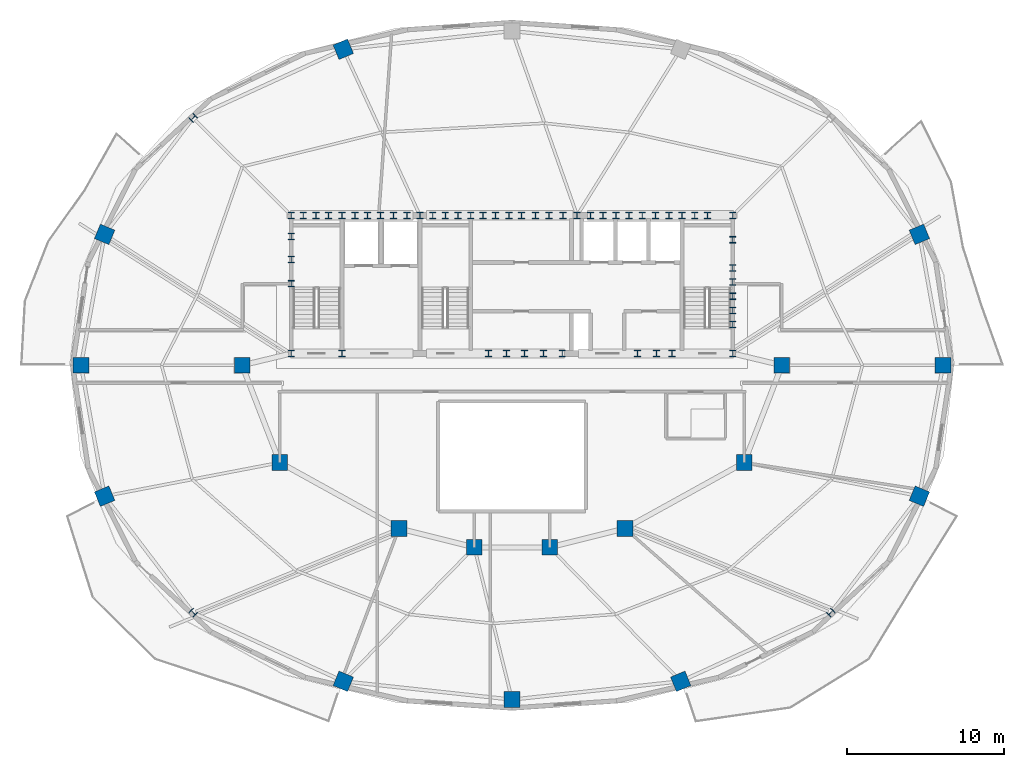
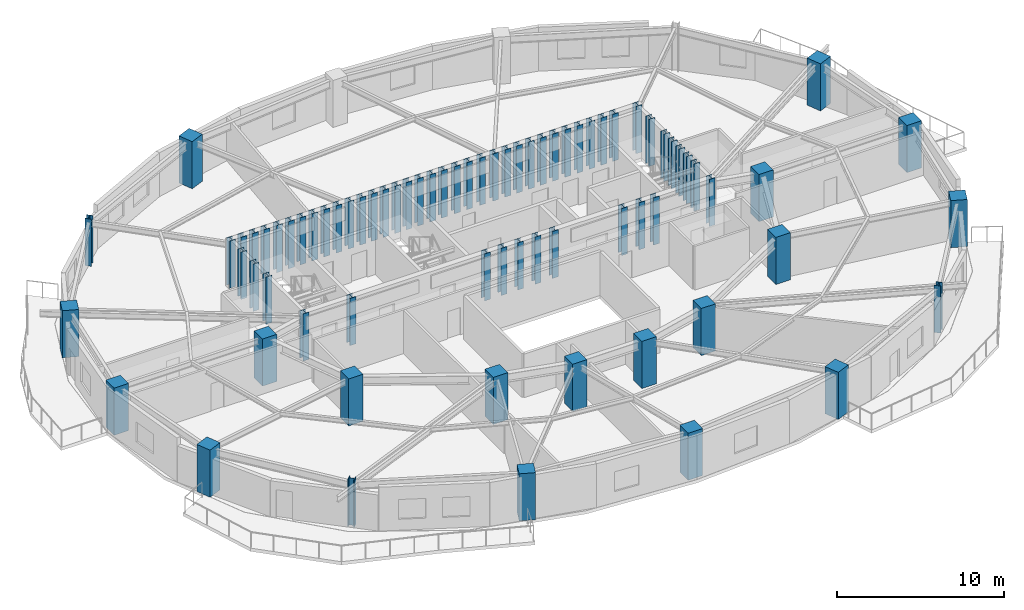
# One storey, part 1 of 11: 75 columns.
"""IFC4 building model written with IfcOpenShell, lengths in metres."""

from ifc_helpers import new_model, si_unit, direction, frame, origin, origin_2d, place, context, subcontext, project, spatial, rectangle, i_section, extrude, material, material_profile, profile_set, type_object, element, save


model = new_model("IFC4")

# Units and contexts
model_context = context("Model", 3, precision=1e-05, world=origin(), true_north=direction((0.0, 1.0)))
body_context = subcontext(model_context, "Body", "Model", "MODEL_VIEW")
ifc_project = project(units=[si_unit("LENGTHUNIT", "METRE"), si_unit("AREAUNIT", "SQUARE_METRE"), si_unit("VOLUMEUNIT", "CUBIC_METRE"), si_unit("PLANEANGLEUNIT", "RADIAN"), si_unit("MASSUNIT", "GRAM", prefix="KILO")], contexts=[model_context])

# Site, building, storey
site_placement = place(None, origin())
site = spatial("IfcSite", under=ifc_project, at=site_placement, CompositionType="ELEMENT")
building_placement = place(site_placement, origin())
building = spatial("IfcBuilding", under=site, at=building_placement, Name="Haldorwick Loom Tower", CompositionType="ELEMENT")
storey_placement = place(building_placement, frame((0.0, 0.0, 230.550048828125)))
storey = spatial("IfcBuildingStorey", under=building, at=storey_placement, Name="L62", CompositionType="ELEMENT", Elevation=230.550048828125)

# Columns
ifc_material_1 = material(Name="Concrete C60 (60 MPa)", Category="concrete")
ifc_material_profile_1 = material_profile(ifc_material_1, rectangle(XDim=1.0, YDim=1.0, at=origin_2d()), Name="RC1000X1000", Category="concrete")
ifc_profile_set_1 = profile_set([ifc_material_profile_1], Name="Concrete C60 (60 MPa)")
column_type_1 = type_object("IfcColumnType", Name="STR-COL-RC1000", PredefinedType="COLUMN", material=ifc_profile_set_1)
for number, where, z_axis, x_axis, name in (
    (1, (53.199951171875, 26.0, 0.0), (0.0, 0.0, 1.0), (1.0, 0.0, 0.0), "L62 Inner Column IC-01"),
    (2, (50.800048828125, 19.800048828125, 0.0), (0.0, 0.0, 1.0), (1.0, 0.0, 0.0), "L62 Inner Column IC-02"),
    (3, (43.199951171875, 15.60009765625, 0.0), (0.0, 0.0, 1.0), (1.0, 0.0, 0.0), "L62 Inner Column IC-03"),
    (4, (38.39990234375, 14.39990234375, 0.0), (0.0, 0.0, 1.0), (1.0, 0.0, 0.0), "L62 Inner Column IC-04"),
    (5, (33.60009765625, 14.39990234375, 0.0), (0.0, 0.0, 1.0), (1.0, 0.0, 0.0), "L62 Inner Column IC-05"),
    (6, (28.800048828125, 15.60009765625, 0.0), (0.0, 0.0, 1.0), (1.0, 0.0, 0.0), "L62 Inner Column IC-06"),
    (7, (21.199951171875, 19.800048828125, 0.0), (0.0, 0.0, 1.0), (1.0, 0.0, 0.0), "L62 Inner Column IC-07"),
    (8, (18.800048828125, 26.0, 0.0), (0.0, 0.0, 1.0), (1.0, 0.0, 0.0), "L62 Inner Column IC-08"),
    (9, (63.46630859375, 26.0, 0.0), (0.0, 0.0, 1.0), (1.0, 0.0, 0.0), "L62 Perimeter Pier Column P01"),
    (10, (61.9609375, 34.342529296875, 0.0), (0.0, 0.0, 1.0), (0.923879532511, 0.382683432365, 0.0), "L62 Perimeter Pier Column P02"),
    (11, (25.24658203125, 46.140625, 0.0), (0.0, 0.0, 1.0), (-0.382683432365, 0.923879532511, 0.0), "L62 Perimeter Pier Column P06"),
    (12, (10.0390625, 34.342529296875, 0.0), (0.0, 0.0, 1.0), (-0.923879532511, 0.382683432365, 0.0), "L62 Perimeter Pier Column P08"),
    (13, (8.53369140625, 26.0, 0.0), (0.0, 0.0, 1.0), (-1.0, 0.0, 0.0), "L62 Perimeter Pier Column P09"),
    (14, (10.0390625, 17.657470703125, 0.0), (0.0, 0.0, 1.0), (-0.923879532511, -0.382683432365, 0.0), "L62 Perimeter Pier Column P10"),
    (15, (25.24658203125, 5.859375, 0.0), (0.0, 0.0, 1.0), (-0.382683432365, -0.923879532511, 0.0), "L62 Perimeter Pier Column P12"),
    (16, (36.0, 4.695068359375, 0.0), (0.0, 0.0, 1.0), (0.0, -1.0, 0.0), "L62 Perimeter Pier Column P13"),
    (17, (46.75341796875, 5.859375, 0.0), (0.0, 0.0, 1.0), (0.382683432365, -0.923879532511, 0.0), "L62 Perimeter Pier Column P14"),
    (18, (61.9609375, 17.657470703125, 0.0), (0.0, 0.0, 1.0), (0.923879532511, -0.382683432365, 0.0), "L62 Perimeter Pier Column P16"),
):
    element("IfcColumn", number, at=place(storey_placement, frame(where, z_axis=z_axis, x_axis=x_axis)), inside=storey, type_object=column_type_1, Name=name, PredefinedType="COLUMN", context=body_context, shape_type="SweptSolid", body=[
        extrude(rectangle(XDim=1.0, YDim=1.0, at=origin_2d()), origin(), (0.0, 0.0, 1.0), 3.449951171875),
    ])
ifc_material_2 = material(Name="Steel CSA G40.21 350W", Category="steel")
ifc_material_profile_2 = material_profile(ifc_material_2, i_section(OverallWidth=0.406005859375, OverallDepth=0.416015625, WebThickness=0.024169921875, FlangeThickness=0.03857421875, at=origin_2d()), Name="W360X382", Category="steel")
ifc_profile_set_2 = profile_set([ifc_material_profile_2], Name="Steel CSA G40.21 350W")
column_type_2 = type_object("IfcColumnType", Name="STR-COL-W360X382", PredefinedType="COLUMN", material=ifc_profile_set_2)
for number, where, z_axis, x_axis, name in (
    (19, (21.929931640625, 35.550048828125, 0.0), (0.0, 0.0, 1.0), (1.0, 0.0, 0.0), "L62 Core Pilaster CB-01"),
    (20, (23.5, 35.550048828125, 0.0), (0.0, 0.0, 1.0), (1.0, 0.0, 0.0), "L62 Core Pilaster CB-02"),
    (21, (25.169921875, 35.550048828125, 0.0), (0.0, 0.0, 1.0), (1.0, 0.0, 0.0), "L62 Core Pilaster CB-03"),
    (22, (26.800048828125, 35.550048828125, 0.0), (0.0, 0.0, 1.0), (1.0, 0.0, 0.0), "L62 Core Pilaster CB-04"),
    (23, (28.449951171875, 35.550048828125, 0.0), (0.0, 0.0, 1.0), (1.0, 0.0, 0.0), "L62 Core Pilaster CB-05"),
    (24, (30.1298828125, 35.550048828125, 0.0), (0.0, 0.0, 1.0), (1.0, 0.0, 0.0), "L62 Core Pilaster CB-06"),
    (25, (31.75, 35.550048828125, 0.0), (0.0, 0.0, 1.0), (1.0, 0.0, 0.0), "L62 Core Pilaster CB-07"),
    (26, (33.3701171875, 35.550048828125, 0.0), (0.0, 0.0, 1.0), (1.0, 0.0, 0.0), "L62 Core Pilaster CB-08"),
    (27, (34.949951171875, 35.550048828125, 0.0), (0.0, 0.0, 1.0), (1.0, 0.0, 0.0), "L62 Core Pilaster CB-09"),
    (28, (36.60009765625, 35.550048828125, 0.0), (0.0, 0.0, 1.0), (1.0, 0.0, 0.0), "L62 Core Pilaster CB-10"),
    (29, (38.35009765625, 35.550048828125, 0.0), (0.0, 0.0, 1.0), (1.0, 0.0, 0.0), "L62 Core Pilaster CB-11"),
    (30, (40.14990234375, 35.550048828125, 0.0), (0.0, 0.0, 1.0), (1.0, 0.0, 0.0), "L62 Core Pilaster CB-12"),
    (31, (41.800048828125, 35.550048828125, 0.0), (0.0, 0.0, 1.0), (1.0, 0.0, 0.0), "L62 Core Pilaster CB-13"),
    (32, (43.449951171875, 35.550048828125, 0.0), (0.0, 0.0, 1.0), (1.0, 0.0, 0.0), "L62 Core Pilaster CB-14"),
    (33, (45.14990234375, 35.550048828125, 0.0), (0.0, 0.0, 1.0), (1.0, 0.0, 0.0), "L62 Core Pilaster CB-15"),
    (34, (46.830078125, 35.550048828125, 0.0), (0.0, 0.0, 1.0), (1.0, 0.0, 0.0), "L62 Core Pilaster CB-16"),
    (35, (48.449951171875, 35.550048828125, 0.0), (0.0, 0.0, 1.0), (1.0, 0.0, 0.0), "L62 Core Pilaster CB-17"),
    (36, (50.070068359375, 35.550048828125, 0.0), (0.0, 0.0, 1.0), (1.0, 0.0, 0.0), "L62 Core Pilaster CB-18"),
    (37, (21.929931640625, 26.75, 0.0), (0.0, 0.0, 1.0), (1.0, 0.0, 0.0), "L62 Core Pilaster CB-19"),
    (38, (25.169921875, 26.75, 0.0), (0.0, 0.0, 1.0), (1.0, 0.0, 0.0), "L62 Core Pilaster CB-20"),
    (39, (34.5, 26.75, 0.0), (0.0, 0.0, 1.0), (1.0, 0.0, 0.0), "L62 Core Pilaster CB-21"),
    (40, (36.800048828125, 26.75, 0.0), (0.0, 0.0, 1.0), (1.0, 0.0, 0.0), "L62 Core Pilaster CB-22"),
    (41, (39.199951171875, 26.75, 0.0), (0.0, 0.0, 1.0), (1.0, 0.0, 0.0), "L62 Core Pilaster CB-23"),
    (42, (45.199951171875, 26.75, 0.0), (0.0, 0.0, 1.0), (1.0, 0.0, 0.0), "L62 Core Pilaster CB-24"),
    (43, (50.070068359375, 26.75, 0.0), (0.0, 0.0, 1.0), (1.0, 0.0, 0.0), "L62 Core Pilaster CB-25"),
    (44, (21.929931640625, 31.199951171875, 0.0), (0.0, 0.0, 1.0), (1.0, 0.0, 0.0), "L62 Core Pilaster CB-26"),
    (45, (21.929931640625, 32.75, 0.0), (0.0, 0.0, 1.0), (1.0, 0.0, 0.0), "L62 Core Pilaster CB-27"),
    (46, (21.929931640625, 34.199951171875, 0.0), (0.0, 0.0, 1.0), (1.0, 0.0, 0.0), "L62 Core Pilaster CB-28"),
    (47, (50.070068359375, 28.60009765625, 0.0), (0.0, 0.0, 1.0), (1.0, 0.0, 0.0), "L62 Core Pilaster CB-29"),
    (48, (50.070068359375, 30.39990234375, 0.0), (0.0, 0.0, 1.0), (1.0, 0.0, 0.0), "L62 Core Pilaster CB-30"),
    (49, (50.070068359375, 32.199951171875, 0.0), (0.0, 0.0, 1.0), (1.0, 0.0, 0.0), "L62 Core Pilaster CB-31"),
    (50, (50.070068359375, 34.0, 0.0), (0.0, 0.0, 1.0), (1.0, 0.0, 0.0), "L62 Core Pilaster CB-32"),
    (51, (22.699951171875, 35.550048828125, 0.0), (0.0, 0.0, 1.0), (1.0, 0.0, 0.0), "L62 Core Pilaster CB-33"),
    (52, (27.6201171875, 35.550048828125, 0.0), (0.0, 0.0, 1.0), (1.0, 0.0, 0.0), "L62 Core Pilaster CB-34"),
    (53, (32.550048828125, 35.550048828125, 0.0), (0.0, 0.0, 1.0), (1.0, 0.0, 0.0), "L62 Core Pilaster CB-35"),
    (54, (37.5, 35.550048828125, 0.0), (0.0, 0.0, 1.0), (1.0, 0.0, 0.0), "L62 Core Pilaster CB-36"),
    (55, (42.6201171875, 35.550048828125, 0.0), (0.0, 0.0, 1.0), (1.0, 0.0, 0.0), "L62 Core Pilaster CB-37"),
    (56, (47.64990234375, 35.550048828125, 0.0), (0.0, 0.0, 1.0), (1.0, 0.0, 0.0), "L62 Core Pilaster CB-38"),
    (57, (24.300048828125, 35.550048828125, 0.0), (0.0, 0.0, 1.0), (1.0, 0.0, 0.0), "L62 Core Pilaster CB-39"),
    (58, (26.0, 35.550048828125, 0.0), (0.0, 0.0, 1.0), (1.0, 0.0, 0.0), "L62 Core Pilaster CB-40"),
    (59, (29.300048828125, 35.550048828125, 0.0), (0.0, 0.0, 1.0), (1.0, 0.0, 0.0), "L62 Core Pilaster CB-41"),
    (60, (30.949951171875, 35.550048828125, 0.0), (0.0, 0.0, 1.0), (1.0, 0.0, 0.0), "L62 Core Pilaster CB-42"),
    (61, (34.14990234375, 35.550048828125, 0.0), (0.0, 0.0, 1.0), (1.0, 0.0, 0.0), "L62 Core Pilaster CB-43"),
    (62, (35.800048828125, 35.550048828125, 0.0), (0.0, 0.0, 1.0), (1.0, 0.0, 0.0), "L62 Core Pilaster CB-44"),
    (63, (39.25, 35.550048828125, 0.0), (0.0, 0.0, 1.0), (1.0, 0.0, 0.0), "L62 Core Pilaster CB-45"),
    (64, (41.0, 35.550048828125, 0.0), (0.0, 0.0, 1.0), (1.0, 0.0, 0.0), "L62 Core Pilaster CB-46"),
    (65, (44.300048828125, 35.550048828125, 0.0), (0.0, 0.0, 1.0), (1.0, 0.0, 0.0), "L62 Core Pilaster CB-47"),
    (66, (46.0, 35.550048828125, 0.0), (0.0, 0.0, 1.0), (1.0, 0.0, 0.0), "L62 Core Pilaster CB-48"),
    (67, (50.070068359375, 29.5, 0.0), (0.0, 0.0, 1.0), (1.0, 0.0, 0.0), "L62 Core Pilaster CB-49"),
    (68, (50.070068359375, 31.300048828125, 0.0), (0.0, 0.0, 1.0), (1.0, 0.0, 0.0), "L62 Core Pilaster CB-50"),
    (69, (35.64990234375, 26.75, 0.0), (0.0, 0.0, 1.0), (1.0, 0.0, 0.0), "L62 Core Pilaster CB-51"),
    (70, (38.0, 26.75, 0.0), (0.0, 0.0, 1.0), (1.0, 0.0, 0.0), "L62 Core Pilaster CB-52"),
    (71, (44.0, 26.75, 0.0), (0.0, 0.0, 1.0), (1.0, 0.0, 0.0), "L62 Core Pilaster CB-53"),
    (72, (46.199951171875, 26.75, 0.0), (0.0, 0.0, 1.0), (1.0, 0.0, 0.0), "L62 Core Pilaster CB-54"),
    (73, (15.682373046875, 41.764892578125, 0.0), (0.0, 0.0, 1.0), (-0.707106781187, 0.707106781187, 0.0), "L62 Perimeter Pier Column P07"),
    (74, (15.682373046875, 10.235107421875, 0.0), (0.0, 0.0, 1.0), (-0.707106781187, -0.707106781187, 0.0), "L62 Perimeter Pier Column P11"),
    (75, (56.317626953125, 10.235107421875, 0.0), (0.0, 0.0, 1.0), (0.707106781187, -0.707106781187, 0.0), "L62 Perimeter Pier Column P15"),
):
    element("IfcColumn", number, at=place(storey_placement, frame(where, z_axis=z_axis, x_axis=x_axis)), inside=storey, type_object=column_type_2, Name=name, PredefinedType="COLUMN", context=body_context, shape_type="SweptSolid", body=[
        extrude(i_section(OverallWidth=0.406005859375, OverallDepth=0.416015625, WebThickness=0.024169921875, FlangeThickness=0.03857421875, at=origin_2d()), origin(), (0.0, 0.0, 1.0), 3.449951171875),
    ])

save(model, "model.ifc")
